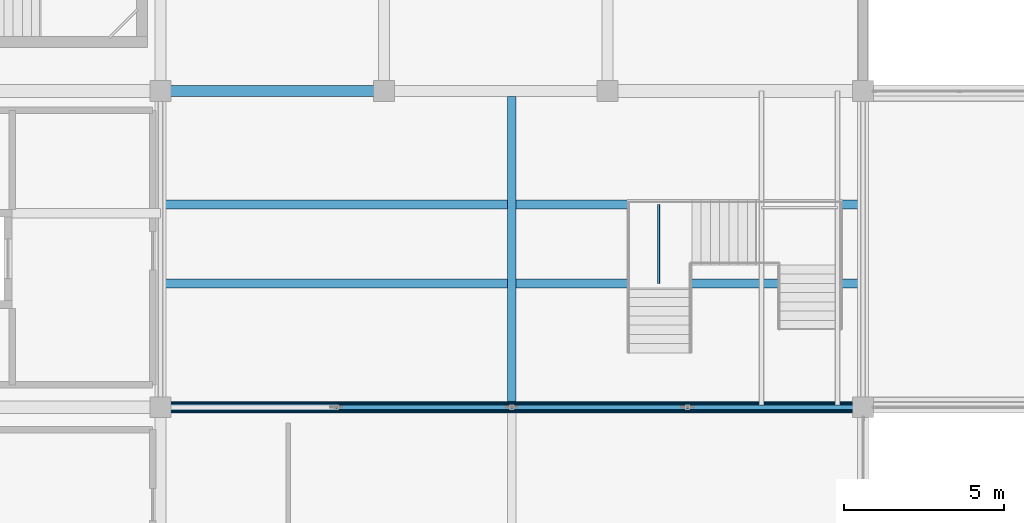
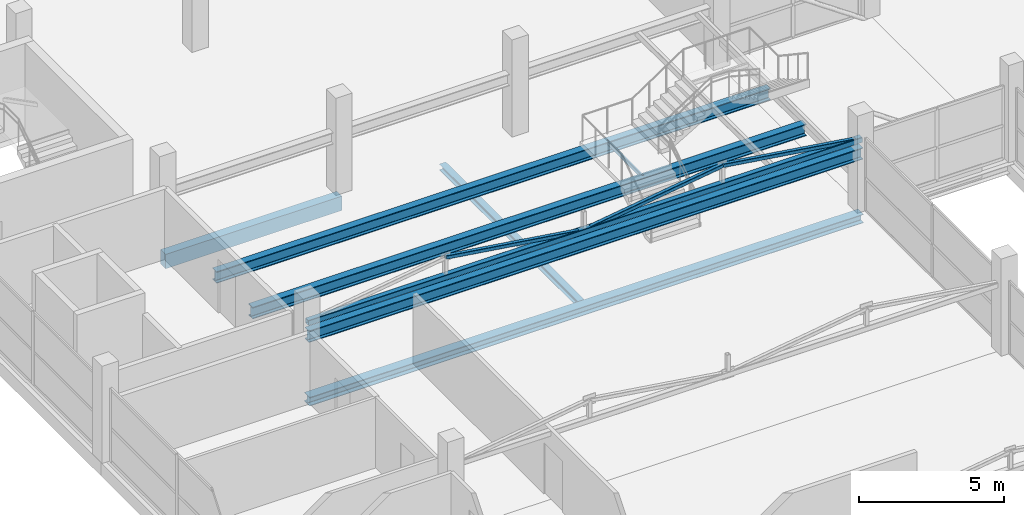
# One storey, part 32 of 70: 7 beams, 4 members.
"""IFC4 building model written with IfcOpenShell, lengths in metres."""

from ifc_helpers import new_model, si_unit, direction, frame, origin, origin_2d, place, context, subcontext, project, spatial, rectangle, hollow_rectangle, i_section, extrude, material, material_profile, profile_set, type_object, element, save


model = new_model("IFC4")

# Units and contexts
model_context = context("Model", 3, precision=1e-05, world=origin(), true_north=direction((0.0, 1.0)))
body_context = subcontext(model_context, "Body", "Model", "MODEL_VIEW")
ifc_project = project(units=[si_unit("LENGTHUNIT", "METRE"), si_unit("AREAUNIT", "SQUARE_METRE"), si_unit("VOLUMEUNIT", "CUBIC_METRE"), si_unit("PLANEANGLEUNIT", "RADIAN"), si_unit("MASSUNIT", "GRAM", prefix="KILO")], contexts=[model_context])

# Site, building, storey
site_placement = place(None, origin())
site = spatial("IfcSite", under=ifc_project, at=site_placement, CompositionType="ELEMENT")
building_placement = place(site_placement, origin())
building = spatial("IfcBuilding", under=site, at=building_placement, Name="Sillaruma Civic Art Gallery", CompositionType="ELEMENT")
storey_placement = place(building_placement, frame((0.0, 0.0, 66.300048828125)))
storey = spatial("IfcBuildingStorey", under=building, at=storey_placement, Name="L13", CompositionType="ELEMENT", Elevation=66.300048828125)

# Beams
ifc_material_1 = material(Name="Concrete H35 (35 MPa)", Category="concrete")
ifc_material_profile_1 = material_profile(ifc_material_1, rectangle(XDim=0.35009765625, YDim=0.60009765625, at=origin_2d()), Name="RCB350x600")
ifc_profile_set_1 = profile_set([ifc_material_profile_1], Name="Concrete H35 (35 MPa)")
beam_type_1 = type_object("IfcBeamType", Name="BM-BEAM-RCB350x600", PredefinedType="BEAM", material=ifc_profile_set_1)
beam_1_placement = place(storey_placement, frame((70.0, 79.199951171875, -0.530029296875), z_axis=(1.0, 0.0, 0.0), x_axis=(0.0, 1.0, 0.0)))
element("IfcBeam", 1, at=beam_1_placement, inside=storey, type_object=beam_type_1, Name="Beam BM-06 (L12:9:G-H)", PredefinedType="BEAM", context=body_context, shape_type="SweptSolid", body=[
    extrude(rectangle(XDim=0.35009765625, YDim=0.60009765625, at=origin_2d()), origin(), (0.0, 0.0, 1.0), 7.0),
])
ifc_material_2 = material(Name="Structural Steel ASTM A500 Gr.C", Category="steel")
ifc_material_profile_2 = material_profile(ifc_material_2, hollow_rectangle(XDim=0.080078125, YDim=0.159912109375, WallThickness=0.008056640625, InnerFilletRadius=0.008056640625, OuterFilletRadius=0.01611328125, at=origin_2d()), Name="HSS160x80x8")
ifc_profile_set_2 = profile_set([ifc_material_profile_2], Name="Structural Steel ASTM A500 Gr.C")
beam_type_2 = type_object("IfcBeamType", Name="BM-FS-HSS160", PredefinedType="BEAM", material=ifc_profile_set_2)
beam_2_placement = place(storey_placement, frame((85.60009765625, 73.179931640625, 1.094970703125), z_axis=(0.0, 1.0, 0.0), x_axis=(-1.0, 0.0, 0.0)))
element("IfcBeam", 2, at=beam_2_placement, inside=storey, type_object=beam_type_2, Name="Feature Stair L1 Spreader (ST-G08)", PredefinedType="BEAM", context=body_context, shape_type="SweptSolid", body=[
    extrude(hollow_rectangle(XDim=0.080078125, YDim=0.159912109375, WallThickness=0.008056640625, InnerFilletRadius=0.008056640625, OuterFilletRadius=0.01611328125, at=origin_2d()), origin(), (0.0, 0.0, 1.0), 2.469970703125),
])
ifc_material_3 = material(Name="Structural Steel ASTM A992 Gr.50", Category="steel")
ifc_material_profile_3 = material_profile(ifc_material_3, i_section(OverallWidth=0.256103515625, OverallDepth=0.260009765625, WebThickness=0.0107421875, FlangeThickness=0.017333984375, FilletRadius=0.012939453125, at=origin_2d()), Name="W250x89")
ifc_profile_set_3 = profile_set([ifc_material_profile_3], Name="Structural Steel ASTM A992 Gr.50")
beam_type_3 = type_object("IfcBeamType", Name="BM-JOIST-W250x89", PredefinedType="JOIST", material=ifc_profile_set_3)
beam_3_placement = place(storey_placement, frame((81.0, 69.485595703125, -0.360107421875), z_axis=(0.0, 1.0, 0.0), x_axis=(-1.0, 0.0, 0.0)))
element("IfcBeam", 3, at=beam_3_placement, inside=storey, type_object=beam_type_3, Name="Long-Span Gallery Joist JS-04 (L12:8-9)", PredefinedType="JOIST", context=body_context, shape_type="SweptSolid", body=[
    extrude(i_section(OverallWidth=0.256103515625, OverallDepth=0.260009765625, WebThickness=0.0107421875, FlangeThickness=0.017333984375, FilletRadius=0.012939453125, at=origin_2d()), origin(), (0.0, 0.0, 1.0), 9.539306640625),
])
ifc_material_profile_4 = material_profile(ifc_material_3, i_section(OverallWidth=0.282958984375, OverallDepth=0.489013671875, WebThickness=0.01708984375, FlangeThickness=0.030517578125, FilletRadius=0.014892578125, at=origin_2d()), Name="W460x193")
ifc_profile_set_4 = profile_set([ifc_material_profile_4], Name="Structural Steel ASTM A992 Gr.50")
beam_type_4 = type_object("IfcBeamType", Name="BM-LND-W460", PredefinedType="BEAM", material=ifc_profile_set_4)
for number, where, z_axis, x_axis, name in (
    (4, (70.0, 73.179931640625, 0.930419921875), (1.0, 0.0, 0.0), (0.0, 1.0, 0.0), "Feature Stair L1 Girder (ST-G08-1)"),
    (5, (70.0, 75.64990234375, 0.930419921875), (1.0, 0.0, 0.0), (0.0, 1.0, 0.0), "Feature Stair L1 Girder (ST-G08-2)"),
    (6, (70.0, 69.300048828125, 2.29052734375), (1.0, 0.0, 0.0), (0.0, 1.0, 0.0), "Feature Stair L2 Rail (ST-G08-S)"),
):
    element("IfcBeam", number, at=place(storey_placement, frame(where, z_axis=z_axis, x_axis=x_axis)), inside=storey, type_object=beam_type_4, Name=name, PredefinedType="BEAM", context=body_context, shape_type="SweptSolid", body=[
        extrude(i_section(OverallWidth=0.282958984375, OverallDepth=0.489013671875, WebThickness=0.01708984375, FlangeThickness=0.030517578125, FilletRadius=0.014892578125, at=origin_2d()), origin(), (0.0, 0.0, 1.0), 22.0),
    ])
ifc_material_profile_5 = material_profile(ifc_material_3, i_section(OverallWidth=0.37109375, OverallDepth=0.364013671875, WebThickness=0.01318359375, FlangeThickness=0.021728515625, FilletRadius=0.014892578125, at=origin_2d()), Name="W360x162")
ifc_profile_set_5 = profile_set([ifc_material_profile_5], Name="Structural Steel ASTM A992 Gr.50")
beam_type_5 = type_object("IfcBeamType", Name="BM-TRTOP-W360x162", PredefinedType="BEAM", material=ifc_profile_set_5)
beam_4_placement = place(storey_placement, frame((70.0, 69.300048828125, -0.412109375), z_axis=(1.0, 0.0, 0.0), x_axis=(0.0, 1.0, 0.0)))
element("IfcBeam", 7, at=beam_4_placement, inside=storey, type_object=beam_type_5, Name="Warren Truss Top Chord TR-L12-3", PredefinedType="BEAM", context=body_context, shape_type="SweptSolid", body=[
    extrude(i_section(OverallWidth=0.37109375, OverallDepth=0.364013671875, WebThickness=0.01318359375, FlangeThickness=0.021728515625, FilletRadius=0.014892578125, at=origin_2d()), origin(), (0.0, 0.0, 1.0), 22.0),
])

# Members
ifc_material_profile_6 = material_profile(ifc_material_2, hollow_rectangle(XDim=0.14990234375, YDim=0.14990234375, WallThickness=0.010009765625, InnerFilletRadius=0.010009765625, OuterFilletRadius=0.02001953125, at=origin_2d()), Name="HSS150x150x10")
ifc_profile_set_6 = profile_set([ifc_material_profile_6], Name="Structural Steel ASTM A500 Gr.C")
member_type_1 = type_object("IfcMemberType", Name="MEM-BRACE-HSS150x150x10", PredefinedType="BRACE", material=ifc_profile_set_6)
for number, where, z_axis, x_axis, name in (
    (8, (75.5, 69.300048828125, 3.64794921875), (0.989377720719, 0.0, -0.145367553959), (0.0, 1.0, 0.0), "Warren Truss Diagonal TR-L13-3-D2"),
    (9, (81.0, 69.300048828125, 2.83984375), (0.989377720719, 0.0, 0.145367553959), (0.0, 1.0, 0.0), "Warren Truss Diagonal TR-L13-3-D3"),
    (10, (86.5, 69.300048828125, 3.64794921875), (0.989377720719, 0.0, -0.145367553959), (0.0, 1.0, 0.0), "Warren Truss Diagonal TR-L13-3-D4"),
):
    element("IfcMember", number, at=place(storey_placement, frame(where, z_axis=z_axis, x_axis=x_axis)), inside=storey, type_object=member_type_1, Name=name, PredefinedType="BRACE", context=body_context, shape_type="SweptSolid", body=[
        extrude(hollow_rectangle(XDim=0.14990234375, YDim=0.14990234375, WallThickness=0.010009765625, InnerFilletRadius=0.010009765625, OuterFilletRadius=0.02001953125, at=origin_2d()), origin(), (0.0, 0.0, 1.0), 5.55908203125),
    ])
ifc_material_profile_7 = material_profile(ifc_material_2, hollow_rectangle(XDim=0.219970703125, YDim=0.219970703125, WallThickness=0.012451171875, InnerFilletRadius=0.012451171875, OuterFilletRadius=0.02490234375, at=origin_2d()), Name="HSS220x220x12.5")
ifc_profile_set_7 = profile_set([ifc_material_profile_7], Name="Structural Steel ASTM A500 Gr.C")
member_type_2 = type_object("IfcMemberType", Name="MEM-CHORD-HSS220x220x12.5", PredefinedType="CHORD", material=ifc_profile_set_7)
member_placement = place(storey_placement, frame((70.0, 69.300048828125, 2.83984375), z_axis=(1.0, 0.0, 0.0), x_axis=(0.0, 1.0, 0.0)))
element("IfcMember", 11, at=member_placement, inside=storey, type_object=member_type_2, Name="Warren Truss Bottom Chord TR-L13-3", PredefinedType="CHORD", context=body_context, shape_type="SweptSolid", body=[
    extrude(hollow_rectangle(XDim=0.219970703125, YDim=0.219970703125, WallThickness=0.012451171875, InnerFilletRadius=0.012451171875, OuterFilletRadius=0.02490234375, at=origin_2d()), origin(), (0.0, 0.0, 1.0), 22.0),
])

save(model, "model.ifc")
